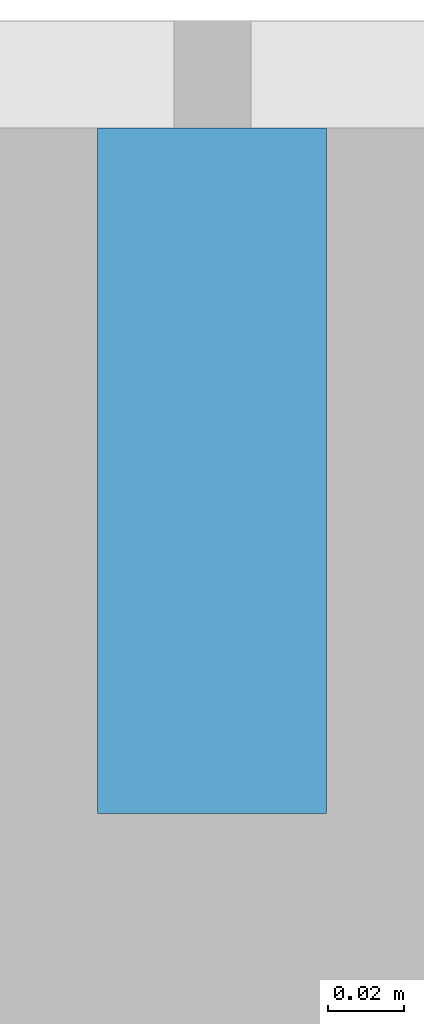
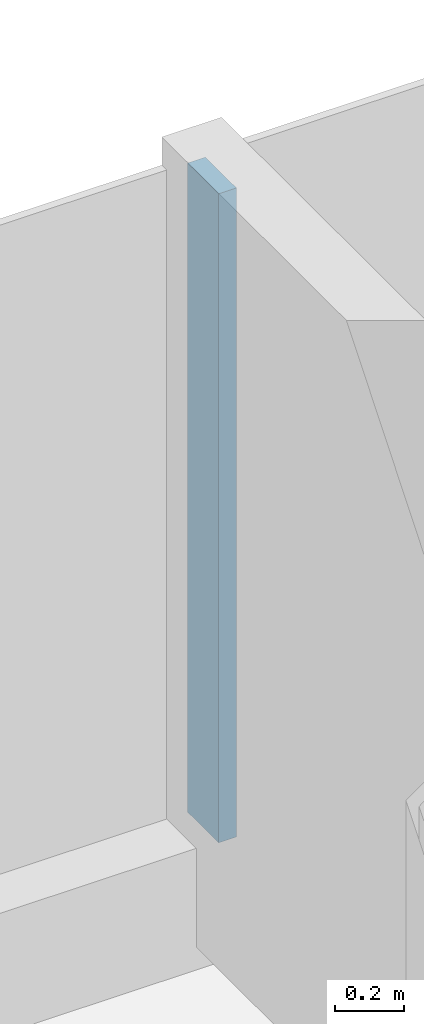
# One storey, part 8 of 26: 1 member, 1 element without a shape of its own.
"""IFC4 building model written with IfcOpenShell, lengths in metres."""

from ifc_helpers import new_model, si_unit, direction, frame, origin, origin_2d, place, context, subcontext, project, spatial, rectangle, extrude, material, layer, layer_set, material_profile, profile_set, type_object, element, aggregate, save


model = new_model("IFC4")

# Units and contexts
model_context = context("Model", 3, precision=1e-05, world=origin(), true_north=direction((0.0, 1.0)))
body_context = subcontext(model_context, "Body", "Model", "MODEL_VIEW")
ifc_project = project(units=[si_unit("LENGTHUNIT", "METRE"), si_unit("AREAUNIT", "SQUARE_METRE"), si_unit("VOLUMEUNIT", "CUBIC_METRE"), si_unit("PLANEANGLEUNIT", "RADIAN"), si_unit("MASSUNIT", "GRAM", prefix="KILO")], contexts=[model_context])

# Site, building, storey
site_placement = place(None, origin())
site = spatial("IfcSite", under=ifc_project, at=site_placement, CompositionType="ELEMENT")
building_placement = place(site_placement, origin())
building = spatial("IfcBuilding", under=site, at=building_placement, Name="Hakoniwa Tower and Hamabe Station Hall", CompositionType="ELEMENT")
storey_placement = place(building_placement, frame((0.0, 0.0, 169.39990234375)))
storey = spatial("IfcBuildingStorey", under=building, at=storey_placement, Name="L48", CompositionType="ELEMENT", Elevation=169.39990234375)

# Curtain wall, member
ifc_material_1 = material(Name="Dark low-e laminated glass", Category="glass")
ifc_layer = layer(ifc_material_1, 0.199951171875)
ifc_layer_set = layer_set([ifc_layer], Name="CW-1 UNITISED GUEST")
curtain_wall_type = type_object("IfcCurtainWallType", Name="CW-1 UNITISED GUEST", PredefinedType="NOTDEFINED", material=ifc_layer_set)
curtain_wall_placement = place(storey_placement, origin())
curtain_wall = element("IfcCurtainWall", 1, at=curtain_wall_placement, inside=storey, type_object=curtain_wall_type, Name="CW-1 curtain wall", PredefinedType="NOTDEFINED")
ifc_material_2 = material(Name="Aluminium 6063-T5 black anodised", Category="aluminium")
ifc_material_profile = material_profile(ifc_material_2, rectangle(XDim=0.06005859375, YDim=0.179931640625, at=origin_2d()), Name="CW-1 MULLION 60X180")
ifc_profile_set = profile_set([ifc_material_profile], Name="Aluminium 6063-T5 black anodised")
member_type = type_object("IfcMemberType", Name="CW-1 MULLION 60X180", PredefinedType="MULLION", material=ifc_profile_set)
member_placement = place(storey_placement, frame((8.39990234375, 18.181884765625, 0.35009765625), z_axis=(0.0, 0.0, 1.0), x_axis=(-1.0, 0.0, 0.0)))
member = element("IfcMember", 2, at=member_placement, type_object=member_type, Name="CW-1 mullion", PredefinedType="MULLION", context=body_context, shape_type="SweptSolid", body=[
    extrude(rectangle(XDim=0.06005859375, YDim=0.179931640625, at=origin_2d()), origin(), (0.0, 0.0, 1.0), 2.300048828125),
])
aggregate(curtain_wall, [member])

save(model, "model.ifc")
